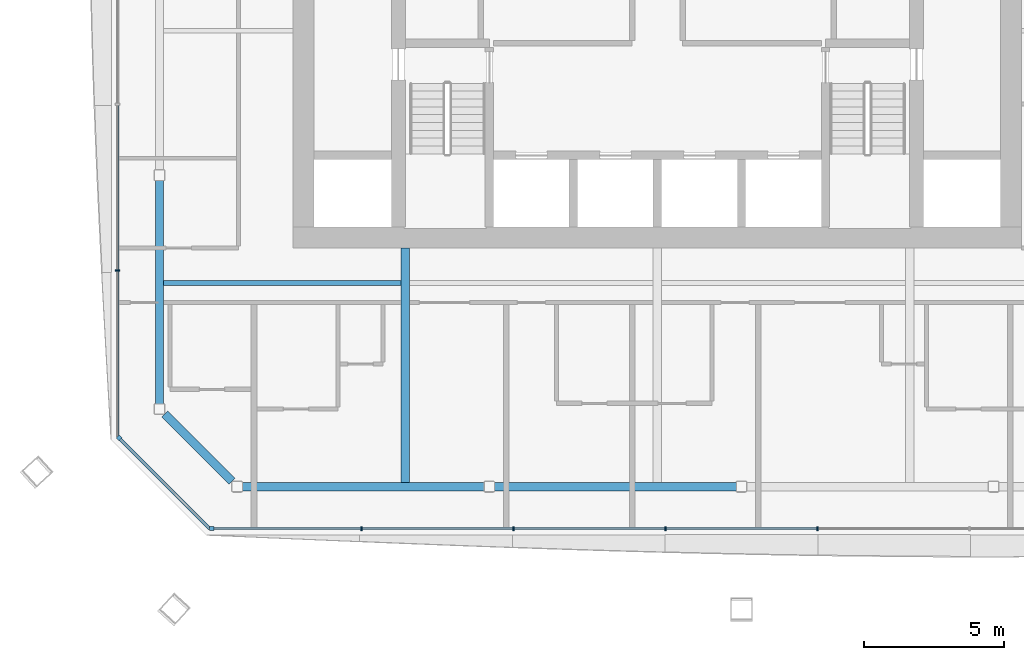
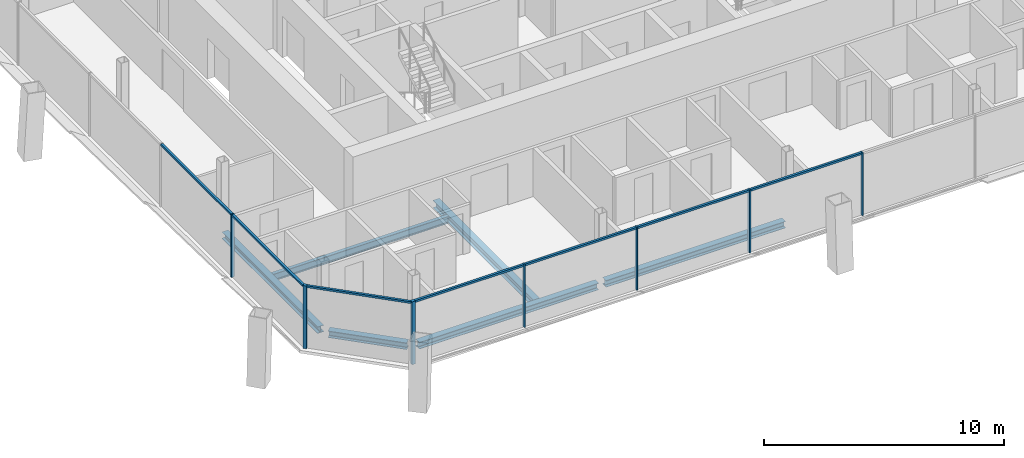
# One storey, part 3 of 18: 14 members, 6 beams, 3 elements without a shape of their own.
"""IFC4 building model written with IfcOpenShell, lengths in metres."""

from ifc_helpers import new_model, si_unit, direction, frame, origin, origin_2d, place, context, subcontext, project, spatial, rectangle, i_section, extrude, material, material_profile, profile_set, type_object, element, aggregate, save


model = new_model("IFC4")

# Units and contexts
model_context = context("Model", 3, precision=1e-05, world=origin(), true_north=direction((0.0, 1.0)))
body_context = subcontext(model_context, "Body", "Model", "MODEL_VIEW")
ifc_project = project(units=[si_unit("LENGTHUNIT", "METRE"), si_unit("AREAUNIT", "SQUARE_METRE"), si_unit("VOLUMEUNIT", "CUBIC_METRE"), si_unit("PLANEANGLEUNIT", "RADIAN"), si_unit("MASSUNIT", "GRAM", prefix="KILO")], contexts=[model_context])

# Site, building, storey
site_placement = place(None, origin())
site = spatial("IfcSite", under=ifc_project, at=site_placement, CompositionType="ELEMENT")
building_placement = place(site_placement, origin())
building = spatial("IfcBuilding", under=site, at=building_placement, Name="Tskaro Facet Tower", CompositionType="ELEMENT")
storey_placement = place(building_placement, frame((0.0, 0.0, 145.300048828125)))
storey = spatial("IfcBuildingStorey", under=building, at=storey_placement, Name="L35", CompositionType="ELEMENT", Elevation=145.300048828125)

# Curtain wall, member
ifc_material_1 = material(Name="Bronze anodised aluminium 6063-T6", Category="aluminium")
curtain_wall_type = type_object("IfcCurtainWallType", Name="Bronze hotel curtain wall (FW2)", PredefinedType="NOTDEFINED", material=ifc_material_1)
curtain_wall_1_placement = place(storey_placement, origin())
curtain_wall_1 = element("IfcCurtainWall", 1, at=curtain_wall_1_placement, inside=storey, type_object=curtain_wall_type, Name="FW2 south facet L35", PredefinedType="NOTDEFINED")
ifc_material_profile_1 = material_profile(ifc_material_1, rectangle(XDim=0.14990234375, YDim=0.14990234375, at=origin_2d()), Name="Corner post 150x150")
ifc_profile_set_1 = profile_set([ifc_material_profile_1], Name="Bronze anodised aluminium 6063-T6")
member_type_1 = type_object("IfcMemberType", Name="FW2 bronze corner post 150x150", PredefinedType="MULLION", material=ifc_profile_set_1)
member_1_placement = place(storey_placement, frame((-15.907958984375, -22.27197265625, 0.0), z_axis=(0.0, 0.0, 1.0), x_axis=(1.0, 0.0, 0.0)))
member_1 = element("IfcMember", 2, at=member_1_placement, type_object=member_type_1, Name="FW2 south corner post", PredefinedType="MULLION", context=body_context, shape_type="SweptSolid", body=[
    extrude(rectangle(XDim=0.14990234375, YDim=0.14990234375, at=origin_2d()), origin(), (0.0, 0.0, 1.0), 3.199951171875),
])

curtain_wall_2_placement = place(storey_placement, origin())
curtain_wall_2 = element("IfcCurtainWall", 3, at=curtain_wall_2_placement, inside=storey, type_object=curtain_wall_type, Name="FW2 south-west facet L35", PredefinedType="NOTDEFINED")
member_2_placement = place(storey_placement, frame((-19.218994140625, -19.0361328125, 0.0), z_axis=(0.0, 0.0, 1.0), x_axis=(0.707106781187, -0.707106781187, 0.0)))
member_2 = element("IfcMember", 4, at=member_2_placement, type_object=member_type_1, Name="FW2 south-west corner post", PredefinedType="MULLION", context=body_context, shape_type="SweptSolid", body=[
    extrude(rectangle(XDim=0.14990234375, YDim=0.14990234375, at=origin_2d()), origin(), (0.0, 0.0, 1.0), 3.199951171875),
])

# Member
ifc_material_profile_2 = material_profile(ifc_material_1, rectangle(XDim=0.06005859375, YDim=0.14990234375, at=origin_2d()), Name="Mullion 60x150")
ifc_profile_set_2 = profile_set([ifc_material_profile_2], Name="Bronze anodised aluminium 6063-T6")
member_type_2 = type_object("IfcMemberType", Name="FW2 bronze mullion 60x150", PredefinedType="MULLION", material=ifc_profile_set_2)
member_3_placement = place(storey_placement, frame((-10.559326171875, -22.27197265625, 0.0), z_axis=(0.0, 0.0, 1.0), x_axis=(1.0, 0.0, 0.0)))
member_3 = element("IfcMember", 5, at=member_3_placement, type_object=member_type_2, Name="FW2 south mullion 1", PredefinedType="MULLION", context=body_context, shape_type="SweptSolid", body=[
    extrude(rectangle(XDim=0.06005859375, YDim=0.14990234375, at=origin_2d()), origin(), (0.0, 0.0, 1.0), 3.199951171875),
])

member_4_placement = place(storey_placement, frame((-5.135498046875, -22.27197265625, 0.0), z_axis=(0.0, 0.0, 1.0), x_axis=(1.0, 0.0, 0.0)))
member_4 = element("IfcMember", 6, at=member_4_placement, type_object=member_type_2, Name="FW2 south mullion 2", PredefinedType="MULLION", context=body_context, shape_type="SweptSolid", body=[
    extrude(rectangle(XDim=0.06005859375, YDim=0.14990234375, at=origin_2d()), origin(), (0.0, 0.0, 1.0), 3.199951171875),
])

member_5_placement = place(storey_placement, frame((0.2880859375, -22.27197265625, 0.0), z_axis=(0.0, 0.0, 1.0), x_axis=(1.0, 0.0, 0.0)))
member_5 = element("IfcMember", 7, at=member_5_placement, type_object=member_type_2, Name="FW2 south mullion 3", PredefinedType="MULLION", context=body_context, shape_type="SweptSolid", body=[
    extrude(rectangle(XDim=0.06005859375, YDim=0.14990234375, at=origin_2d()), origin(), (0.0, 0.0, 1.0), 3.199951171875),
])

member_6_placement = place(storey_placement, frame((5.7119140625, -22.27197265625, 0.0), z_axis=(0.0, 0.0, 1.0), x_axis=(1.0, 0.0, 0.0)))
member_6 = element("IfcMember", 8, at=member_6_placement, type_object=member_type_2, Name="FW2 south mullion 4", PredefinedType="MULLION", context=body_context, shape_type="SweptSolid", body=[
    extrude(rectangle(XDim=0.06005859375, YDim=0.14990234375, at=origin_2d()), origin(), (0.0, 0.0, 1.0), 3.199951171875),
])

# Curtain wall, member
curtain_wall_3_placement = place(storey_placement, origin())
curtain_wall_3 = element("IfcCurtainWall", 9, at=curtain_wall_3_placement, inside=storey, type_object=curtain_wall_type, Name="FW2 west facet L35", PredefinedType="NOTDEFINED")
member_7_placement = place(storey_placement, frame((-19.27197265625, -13.053955078125, 0.0), z_axis=(0.0, 0.0, 1.0), x_axis=(0.0, -1.0, 0.0)))
member_7 = element("IfcMember", 10, at=member_7_placement, type_object=member_type_2, Name="FW2 west mullion 5", PredefinedType="MULLION", context=body_context, shape_type="SweptSolid", body=[
    extrude(rectangle(XDim=0.06005859375, YDim=0.14990234375, at=origin_2d()), origin(), (0.0, 0.0, 1.0), 3.199951171875),
])

# Member
ifc_material_profile_3 = material_profile(ifc_material_1, rectangle(XDim=0.110107421875, YDim=0.10009765625, at=origin_2d()), Name="Transom 110x100")
ifc_profile_set_3 = profile_set([ifc_material_profile_3], Name="Bronze anodised aluminium 6063-T6")
member_type_3 = type_object("IfcMemberType", Name="FW2 bronze transom 110x100", PredefinedType="USERDEFINED", material=ifc_profile_set_3)
member_8_placement = place(storey_placement, frame((-15.8330078125, -22.27197265625, 3.14990234375), z_axis=(1.0, 0.0, 0.0), x_axis=(0.0, 1.0, 0.0)))
member_8 = element("IfcMember", 11, at=member_8_placement, type_object=member_type_3, Name="FW2 south transom 1.1", ObjectType="TRANSOM", PredefinedType="USERDEFINED", context=body_context, shape_type="SweptSolid", body=[
    extrude(rectangle(XDim=0.110107421875, YDim=0.10009765625, at=origin_2d()), origin(), (0.0, 0.0, 1.0), 5.24365234375),
])

member_9_placement = place(storey_placement, frame((-10.529296875, -22.27197265625, 3.14990234375), z_axis=(1.0, 0.0, 0.0), x_axis=(0.0, 1.0, 0.0)))
member_9 = element("IfcMember", 12, at=member_9_placement, type_object=member_type_3, Name="FW2 south transom 2.1", ObjectType="TRANSOM", PredefinedType="USERDEFINED", context=body_context, shape_type="SweptSolid", body=[
    extrude(rectangle(XDim=0.110107421875, YDim=0.10009765625, at=origin_2d()), origin(), (0.0, 0.0, 1.0), 5.36376953125),
])

member_10_placement = place(storey_placement, frame((-5.10546875, -22.27197265625, 3.14990234375), z_axis=(1.0, 0.0, 0.0), x_axis=(0.0, 1.0, 0.0)))
member_10 = element("IfcMember", 13, at=member_10_placement, type_object=member_type_3, Name="FW2 south transom 3.1", ObjectType="TRANSOM", PredefinedType="USERDEFINED", context=body_context, shape_type="SweptSolid", body=[
    extrude(rectangle(XDim=0.110107421875, YDim=0.10009765625, at=origin_2d()), origin(), (0.0, 0.0, 1.0), 5.363525390625),
])

member_11_placement = place(storey_placement, frame((0.318115234375, -22.27197265625, 3.14990234375), z_axis=(1.0, 0.0, 0.0), x_axis=(0.0, 1.0, 0.0)))
member_11 = element("IfcMember", 14, at=member_11_placement, type_object=member_type_3, Name="FW2 south transom 4.1", ObjectType="TRANSOM", PredefinedType="USERDEFINED", context=body_context, shape_type="SweptSolid", body=[
    extrude(rectangle(XDim=0.110107421875, YDim=0.10009765625, at=origin_2d()), origin(), (0.0, 0.0, 1.0), 5.36376953125),
])

aggregate(curtain_wall_1, [member_1, member_3, member_4, member_5, member_6, member_8, member_9, member_10, member_11])

member_12_placement = place(storey_placement, frame((-19.27197265625, -7.15478515625, 3.14990234375), z_axis=(0.0, -1.0, 0.0), x_axis=(1.0, 0.0, 0.0)))
member_12 = element("IfcMember", 15, at=member_12_placement, type_object=member_type_3, Name="FW2 west transom 5.1", ObjectType="TRANSOM", PredefinedType="USERDEFINED", context=body_context, shape_type="SweptSolid", body=[
    extrude(rectangle(XDim=0.110107421875, YDim=0.10009765625, at=origin_2d()), origin(), (0.0, 0.0, 1.0), 5.869140625),
])

member_13_placement = place(storey_placement, frame((-19.27197265625, -13.083740234375, 3.14990234375), z_axis=(0.0, -1.0, 0.0), x_axis=(1.0, 0.0, 0.0)))
member_13 = element("IfcMember", 16, at=member_13_placement, type_object=member_type_3, Name="FW2 west transom 6.1", ObjectType="TRANSOM", PredefinedType="USERDEFINED", context=body_context, shape_type="SweptSolid", body=[
    extrude(rectangle(XDim=0.110107421875, YDim=0.10009765625, at=origin_2d()), origin(), (0.0, 0.0, 1.0), 5.899169921875),
])

aggregate(curtain_wall_3, [member_7, member_12, member_13])

member_14_placement = place(storey_placement, frame((-19.166015625, -19.089111328125, 3.14990234375), z_axis=(0.707133898856, -0.707079662477, 0.0), x_axis=(0.707079662477, 0.707133898856, 0.0)))
member_14 = element("IfcMember", 17, at=member_14_placement, type_object=member_type_3, Name="FW2 south-west transom 1.1", ObjectType="TRANSOM", PredefinedType="USERDEFINED", context=body_context, shape_type="SweptSolid", body=[
    extrude(rectangle(XDim=0.110107421875, YDim=0.10009765625, at=origin_2d()), origin(), (0.0, 0.0, 1.0), 4.50146484375),
])

aggregate(curtain_wall_2, [member_2, member_14])

# Beams
ifc_material_2 = material(Name="Steel S355J2", Category="steel")
ifc_material_profile_4 = material_profile(ifc_material_2, i_section(OverallWidth=0.300048828125, OverallDepth=0.340087890625, WebThickness=0.011962890625, FlangeThickness=0.021484375, FilletRadius=0.027099609375, at=origin_2d()), Name="HE 340 B")
ifc_profile_set_4 = profile_set([ifc_material_profile_4], Name="Steel S355J2")
beam_type_1 = type_object("IfcBeamType", Name="HE 340 B ring beam", PredefinedType="BEAM", material=ifc_profile_set_4)
beam_1_placement = place(storey_placement, frame((-14.819091796875, -20.77392578125, -0.31005859375), z_axis=(1.0, 0.0, 0.0), x_axis=(0.0, 1.0, 0.0)))
element("IfcBeam", 18, at=beam_1_placement, inside=storey, type_object=beam_type_1, Name="HE 340 B EB1-3", PredefinedType="BEAM", context=body_context, shape_type="SweptSolid", body=[
    extrude(i_section(OverallWidth=0.300048828125, OverallDepth=0.340087890625, WebThickness=0.011962890625, FlangeThickness=0.021484375, FilletRadius=0.027099609375, at=origin_2d()), origin(), (0.0, 0.0, 1.0), 8.63916015625),
])
beam_2_placement = place(storey_placement, frame((-5.820068359375, -20.77392578125, -0.31005859375), z_axis=(1.0, 0.0, 0.0), x_axis=(0.0, 1.0, 0.0)))
element("IfcBeam", 19, at=beam_2_placement, inside=storey, type_object=beam_type_1, Name="HE 340 B EB2-3", PredefinedType="BEAM", context=body_context, shape_type="SweptSolid", body=[
    extrude(i_section(OverallWidth=0.300048828125, OverallDepth=0.340087890625, WebThickness=0.011962890625, FlangeThickness=0.021484375, FilletRadius=0.027099609375, at=origin_2d()), origin(), (0.0, 0.0, 1.0), 8.64013671875),
])
beam_3_placement = place(storey_placement, frame((-17.77392578125, -9.8369140625, -0.31005859375), z_axis=(0.0, -1.0, 0.0), x_axis=(1.0, 0.0, 0.0)))
element("IfcBeam", 20, at=beam_3_placement, inside=storey, type_object=beam_type_1, Name="HE 340 B EB19-3", PredefinedType="BEAM", context=body_context, shape_type="SweptSolid", body=[
    extrude(i_section(OverallWidth=0.300048828125, OverallDepth=0.340087890625, WebThickness=0.011962890625, FlangeThickness=0.021484375, FilletRadius=0.027099609375, at=origin_2d()), origin(), (0.0, 0.0, 1.0), 7.982177734375),
])
beam_4_placement = place(storey_placement, frame((-17.588134765625, -18.184814453125, -0.31005859375), z_axis=(0.707106781187, -0.707106781187, 0.0), x_axis=(0.707106781187, 0.707106781187, 0.0)))
element("IfcBeam", 21, at=beam_4_placement, inside=storey, type_object=beam_type_1, Name="HE 340 B EB20-3", PredefinedType="BEAM", context=body_context, shape_type="SweptSolid", body=[
    extrude(i_section(OverallWidth=0.300048828125, OverallDepth=0.340087890625, WebThickness=0.011962890625, FlangeThickness=0.021484375, FilletRadius=0.027099609375, at=origin_2d()), origin(), (0.0, 0.0, 1.0), 3.39892578125),
])
ifc_material_profile_5 = material_profile(ifc_material_2, i_section(OverallWidth=0.300048828125, OverallDepth=0.389892578125, WebThickness=0.010986328125, FlangeThickness=0.01904296875, FilletRadius=0.027099609375, at=origin_2d()), Name="HE 400 A")
ifc_profile_set_5 = profile_set([ifc_material_profile_5], Name="Steel S355J2")
beam_type_2 = type_object("IfcBeamType", Name="HE 400 A girder", PredefinedType="BEAM", material=ifc_profile_set_5)
beam_5_placement = place(storey_placement, frame((-9.0, -20.6240234375, -0.3349609375), z_axis=(0.0, 1.0, 0.0), x_axis=(-1.0, 0.0, 0.0)))
element("IfcBeam", 22, at=beam_5_placement, inside=storey, type_object=beam_type_2, Name="HE 400 A GB3-1-3", PredefinedType="BEAM", context=body_context, shape_type="SweptSolid", body=[
    extrude(i_section(OverallWidth=0.300048828125, OverallDepth=0.389892578125, WebThickness=0.010986328125, FlangeThickness=0.01904296875, FilletRadius=0.027099609375, at=origin_2d()), origin(), (0.0, 0.0, 1.0), 8.3740234375),
])
ifc_material_profile_6 = material_profile(ifc_material_2, i_section(OverallWidth=0.169921875, OverallDepth=0.360107421875, WebThickness=0.008056640625, FlangeThickness=0.0126953125, FilletRadius=0.01806640625, at=origin_2d()), Name="IPE 360")
ifc_profile_set_6 = profile_set([ifc_material_profile_6], Name="Steel S355J2")
beam_type_3 = type_object("IfcBeamType", Name="IPE 360 secondary beam", PredefinedType="BEAM", material=ifc_profile_set_6)
beam_6_placement = place(storey_placement, frame((-17.6240234375, -13.5, -0.320068359375), z_axis=(1.0, 0.0, 0.0), x_axis=(0.0, 1.0, 0.0)))
element("IfcBeam", 23, at=beam_6_placement, inside=storey, type_object=beam_type_3, Name="IPE 360 SB2a-1-3", PredefinedType="BEAM", context=body_context, shape_type="SweptSolid", body=[
    extrude(i_section(OverallWidth=0.169921875, OverallDepth=0.360107421875, WebThickness=0.008056640625, FlangeThickness=0.0126953125, FilletRadius=0.01806640625, at=origin_2d()), origin(), (0.0, 0.0, 1.0), 8.47412109375),
])

save(model, "model.ifc")
